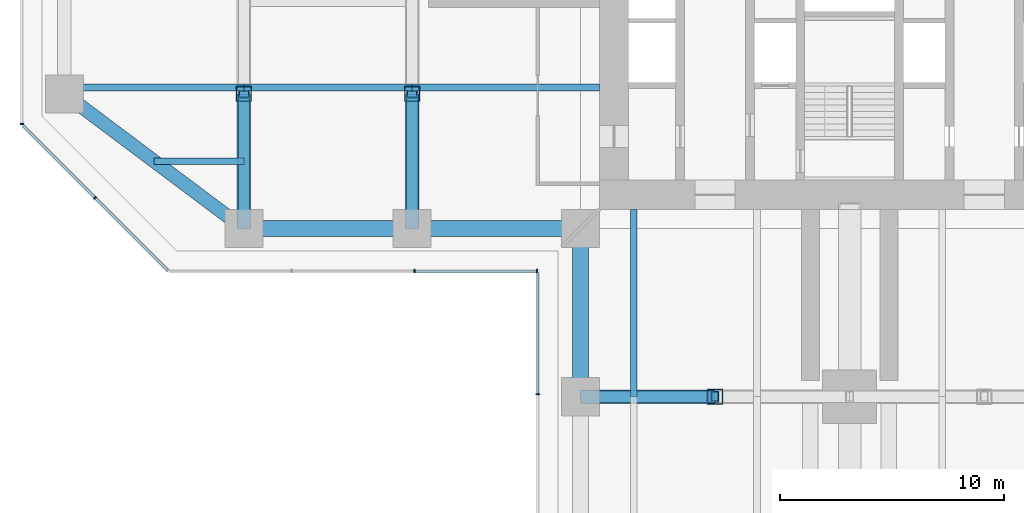
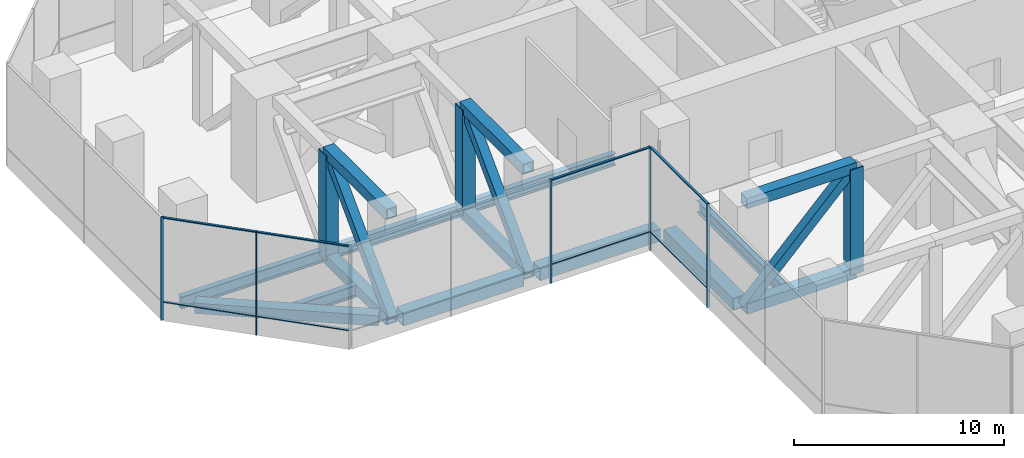
# One storey, part 3 of 19: 25 members, 9 beams, 4 elements without a shape of their own.
"""IFC4 building model written with IfcOpenShell, lengths in metres."""

import ifcopenshell
import ifcopenshell.guid

model = None  # the IFC model being written
_history = None  # IfcOwnerHistory: only IFC2X3 demands one
_inside = {}  # id of a spatial element -> (the spatial element, [elements in it])
_under = {}  # id of a project, library or spatial element -> (it, [spatial elements below it])
_declared = {}  # id of a project -> (the project, [libraries it declares])
_typed = {}  # id of a type object -> (the type object, [elements of that type])
_made_of = {}  # id of a material, layer set ... -> (it, [elements and type objects made of it])


def new_model(schema):
    """Start an empty IFC model of exactly this schema.

    Asked for "IFC4X3", IfcOpenShell would pick the latest addendum, in which some entities
    have other attributes; the version numbers below select the first issue.
    IFC2X3 requires an IfcOwnerHistory on every rooted entity: one is made here for all.
    """
    global model, _history
    if schema == "IFC4X3":
        model = ifcopenshell.file(schema_version=(4, 3, 0, 0))
    else:
        model = ifcopenshell.file(schema=schema)
    _inside.clear()
    _under.clear()
    _declared.clear()
    _typed.clear()
    _made_of.clear()
    _history = None
    if model.schema == "IFC2X3":
        org = make("IfcOrganization", Name="unknown")
        user = make(
            "IfcPersonAndOrganization",
            ThePerson=make("IfcPerson", FamilyName="unknown"),
            TheOrganization=org,
        )
        app = make(
            "IfcApplication",
            ApplicationDeveloper=org,
            Version="unknown",
            ApplicationFullName="unknown",
            ApplicationIdentifier="unknown",
        )
        _history = make(
            "IfcOwnerHistory",
            OwningUser=user,
            OwningApplication=app,
            ChangeAction="ADDED",
            CreationDate=0,
        )
    return model


def make(cls, **values):
    """One entity of the class cls with the attributes given. An attribute that is None is left unset."""
    return model.create_entity(
        cls, **{name: value for name, value in values.items() if value is not None}
    )


def rooted(cls, **values):
    """An entity with a GlobalId (a new one), such as an element, a storey or a relation."""
    return make(cls, GlobalId=ifcopenshell.guid.new(), OwnerHistory=_history, **values)


def si_unit(unit_type, name, prefix=None):
    """IfcSIUnit, for example si_unit("LENGTHUNIT", "METRE", prefix="MILLI")."""
    return make("IfcSIUnit", UnitType=unit_type, Prefix=prefix, Name=name)


def assignment(units):
    """IfcUnitAssignment: the units of a project."""
    return None if units is None else make("IfcUnitAssignment", Units=units)


def point(xyz):
    """IfcCartesianPoint."""
    return None if xyz is None else make("IfcCartesianPoint", Coordinates=xyz)


def direction(xyz):
    """IfcDirection."""
    return None if xyz is None else make("IfcDirection", DirectionRatios=xyz)


def frame(location, z_axis=None, x_axis=None):
    """IfcAxis2Placement3D, a coordinate frame: its origin and axes. An axis left out is left unset."""
    return make(
        "IfcAxis2Placement3D",
        Location=point(location),
        Axis=direction(z_axis),
        RefDirection=direction(x_axis),
    )


def frame_2d(location, x_axis=None):
    """IfcAxis2Placement2D, a coordinate frame in the plane: its origin and x axis."""
    return make(
        "IfcAxis2Placement2D", Location=point(location), RefDirection=direction(x_axis)
    )


def origin():
    """The frame at (0, 0, 0) with its axes left unset."""
    return frame((0.0, 0.0, 0.0))


def origin_2d():
    """The frame at (0, 0) in the plane with its x axis left unset."""
    return frame_2d((0.0, 0.0))


def place(relative_to, where):
    """IfcLocalPlacement: puts the frame where relative to a parent placement (None: the world)."""
    return make(
        "IfcLocalPlacement", PlacementRelTo=relative_to, RelativePlacement=where
    )


def context(
    kind, dimensions, precision=None, world=None, true_north=None, identifier=None
):
    """IfcGeometricRepresentationContext, for example the 3D "Model" context."""
    return make(
        "IfcGeometricRepresentationContext",
        ContextIdentifier=identifier,
        ContextType=kind,
        CoordinateSpaceDimension=dimensions,
        Precision=precision,
        WorldCoordinateSystem=world,
        TrueNorth=true_north,
    )


def subcontext(parent, identifier, kind, view, scale=None):
    """IfcGeometricRepresentationSubContext, for example "Body" below "Model"."""
    return make(
        "IfcGeometricRepresentationSubContext",
        ContextIdentifier=identifier,
        ContextType=kind,
        ParentContext=parent,
        TargetScale=scale,
        TargetView=view,
    )


def project(units=None, contexts=None):
    """IfcProject with its units and contexts."""
    return rooted(
        "IfcProject",
        Name="project",
        RepresentationContexts=contexts,
        UnitsInContext=assignment(units),
    )


def spatial(cls, under=None, at=None, **own):
    """A site, building, storey or space (cls), placed at a placement, below another one or the project."""
    s = rooted(cls, ObjectPlacement=at, **own)
    if under is not None:
        _under.setdefault(under.id(), (under, []))[1].append(s)
    return s


def profile(cls, at=None, kind="AREA", **sizes):
    """A parametric profile (cls). Its sizes go by their IFC names, for example OverallWidth=200.0."""
    return make(cls, ProfileType=kind, Position=at, **sizes)


def rectangle(**sizes):
    """IfcRectangleProfileDef."""
    return profile("IfcRectangleProfileDef", **sizes)


def hollow_rectangle(**sizes):
    """IfcRectangleHollowProfileDef."""
    return profile("IfcRectangleHollowProfileDef", **sizes)


def i_section(**sizes):
    """IfcIShapeProfileDef."""
    return profile("IfcIShapeProfileDef", **sizes)


def extrude(swept, where, along, depth):
    """IfcExtrudedAreaSolid: the profile swept, set in the frame where, extruded along a direction by depth."""
    return make(
        "IfcExtrudedAreaSolid",
        SweptArea=swept,
        Position=where,
        ExtrudedDirection=direction(along),
        Depth=depth,
    )


def shape(context_of_items, identifier, shape_type, items):
    """IfcShapeRepresentation: the items that make up one representation, for example the "Body"."""
    return make(
        "IfcShapeRepresentation",
        ContextOfItems=context_of_items,
        RepresentationIdentifier=identifier,
        RepresentationType=shape_type,
        Items=items,
    )


def material(Name=None, Category=None):
    """IfcMaterial."""
    return make("IfcMaterial", Name=Name, Category=Category)


def material_profile(
    of_material, cross_section, Name=None, Category=None, Priority=None
):
    """IfcMaterialProfile: a cross section and its material."""
    return make(
        "IfcMaterialProfile",
        Name=Name,
        Material=of_material,
        Profile=cross_section,
        Priority=Priority,
        Category=Category,
    )


def profile_set(profiles, Name=None, composite=None):
    """IfcMaterialProfileSet."""
    return make(
        "IfcMaterialProfileSet",
        Name=Name,
        MaterialProfiles=profiles,
        CompositeProfile=composite,
    )


def made_of(thing, what):
    """Note that an element or type object is made of a material, layer set ...; save() writes the relation."""
    if what is not None:
        _made_of.setdefault(what.id(), (what, []))[1].append(thing)
    return thing


def type_object(cls, material=None, **own):
    """A type object (cls), such as IfcWallType, which elements share."""
    return made_of(rooted(cls, **own), material)


def element(
    cls,
    number,
    at=None,
    inside=None,
    cuts=None,
    type_object=None,
    material=None,
    context=None,
    identifier="Body",
    shape_type=None,
    held_by="IfcProductDefinitionShape",
    body=None,
    shapes=None,
    **own,
):
    """One element of the class cls, such as IfcWall. Its Tag is "e" and its number.

    at: its placement. inside: the storey or other place that contains it. cuts: it is an
    opening in that element (IfcRelVoidsElement). A single representation is given by context,
    identifier, shape_type and body (its items); several are given by shapes. held_by: the class
    of the entity that holds the representations. save() writes the other relations.
    """
    e = rooted(cls, Tag="e%d" % number, ObjectPlacement=at, **own)
    if body is not None:
        shapes = [shape(context, identifier, shape_type, body)]
    if shapes is not None:
        e.Representation = make(held_by, Representations=shapes)
    if inside is not None:
        _inside.setdefault(inside.id(), (inside, []))[1].append(e)
    if cuts is not None:
        rooted(
            "IfcRelVoidsElement", RelatingBuildingElement=cuts, RelatedOpeningElement=e
        )
    if type_object is not None:
        _typed.setdefault(type_object.id(), (type_object, []))[1].append(e)
    return made_of(e, material)


def aggregate(whole, parts):
    """IfcRelAggregates: a whole, such as a stair, and the parts it consists of."""
    return rooted("IfcRelAggregates", RelatingObject=whole, RelatedObjects=parts)


def save(model, path):
    """Write the relations noted so far, then the file.

    IfcRelAggregates (storeys below a building ...), IfcRelContainedInSpatialStructure (elements
    in a storey), IfcRelDefinesByType, IfcRelAssociatesMaterial and IfcRelDeclares: one each for
    every whole, place, type object, material and project.
    """
    for whole, parts in _under.values():
        aggregate(whole, parts)
    for where, things in _inside.values():
        rooted(
            "IfcRelContainedInSpatialStructure",
            RelatedElements=things,
            RelatingStructure=where,
        )
    for kind, things in _typed.values():
        rooted("IfcRelDefinesByType", RelatedObjects=things, RelatingType=kind)
    for what, things in _made_of.values():
        rooted("IfcRelAssociatesMaterial", RelatedObjects=things, RelatingMaterial=what)
    for by, libraries in _declared.values():
        rooted("IfcRelDeclares", RelatingContext=by, RelatedDefinitions=libraries)
    model.write(path)


model = new_model("IFC4")

# Units and contexts
model_context = context("Model", 3, precision=1e-05, world=origin(), true_north=direction((0.0, 1.0)))
body_context = subcontext(model_context, "Body", "Model", "MODEL_VIEW")
ifc_project = project(units=[si_unit("LENGTHUNIT", "METRE"), si_unit("AREAUNIT", "SQUARE_METRE"), si_unit("VOLUMEUNIT", "CUBIC_METRE"), si_unit("PLANEANGLEUNIT", "RADIAN"), si_unit("MASSUNIT", "GRAM", prefix="KILO")], contexts=[model_context])

# Site, building, storey
site_placement = place(None, origin())
site = spatial("IfcSite", under=ifc_project, at=site_placement, CompositionType="ELEMENT")
building_placement = place(site_placement, origin())
building = spatial("IfcBuilding", under=site, at=building_placement, Name="Mizan Broadcast Tower", CompositionType="ELEMENT")
storey_placement = place(building_placement, frame((0.0, 0.0, 37.5)))
storey = spatial("IfcBuildingStorey", under=building, at=storey_placement, Name="L06", CompositionType="ELEMENT", Elevation=37.5)

# Members
ifc_material_1 = material(Name="Steel S460", Category="steel")
ifc_material_profile_1 = material_profile(ifc_material_1, hollow_rectangle(XDim=0.60009765625, YDim=0.60009765625, WallThickness=0.06005859375, at=origin_2d()), Name="BOX 600x600x60")
ifc_profile_set_1 = profile_set([ifc_material_profile_1], Name="Steel S460")
member_type_1 = type_object("IfcMemberType", Name="BELT TRUSS BT1 CHORD BOX 600x600x60", PredefinedType="CHORD", material=ifc_profile_set_1)
for number, where, z_axis, x_axis, name in (
    (1, (-19.5, -6.0, -0.550048828125), (0.0, -1.0, 0.0), (1.0, 0.0, 0.0), "Belt truss BT1-W19 bottom chord 4"),
    (2, (-19.5, -6.0, 5.570068359375), (0.0, -1.0, 0.0), (1.0, 0.0, 0.0), "Belt truss BT1-W19 top chord 4"),
    (3, (-27.0, -6.0, -0.550048828125), (0.0, -1.0, 0.0), (1.0, 0.0, 0.0), "Belt truss BT1-W27 bottom chord 4"),
    (4, (-27.0, -6.0, 5.570068359375), (0.0, -1.0, 0.0), (1.0, 0.0, 0.0), "Belt truss BT1-W27 top chord 4"),
    (5, (-12.0, -19.5, -0.550048828125), (1.0, 0.0, 0.0), (0.0, 1.0, 0.0), "Belt truss BT1-S19 bottom chord 1"),
    (6, (-12.0, -19.5, 5.570068359375), (1.0, 0.0, 0.0), (0.0, 1.0, 0.0), "Belt truss BT1-S19 top chord 1"),
):
    element("IfcMember", number, at=place(storey_placement, frame(where, z_axis=z_axis, x_axis=x_axis)), inside=storey, type_object=member_type_1, Name=name, PredefinedType="CHORD", context=body_context, shape_type="SweptSolid", body=[
        extrude(hollow_rectangle(XDim=0.60009765625, YDim=0.60009765625, WallThickness=0.06005859375, at=origin_2d()), origin(), (0.0, 0.0, 1.0), 6.0),
    ])
ifc_material_2 = material(Name="Steel S460", Category="steel")
ifc_material_profile_2 = material_profile(ifc_material_2, hollow_rectangle(XDim=0.5, YDim=0.5, WallThickness=0.050048828125, at=origin_2d()), Name="BOX 500x500x50")
ifc_profile_set_2 = profile_set([ifc_material_profile_2], Name="Steel S460")
member_type_2 = type_object("IfcMemberType", Name="BELT TRUSS BT1 DIAGONAL BOX 500x500x50", PredefinedType="BRACE", material=ifc_profile_set_2)
for number, where, z_axis, x_axis, name in (
    (7, (-19.5, -12.0, -0.550048828125), (0.0, 0.700064575666, 0.714079540316), (-1.0, 0.0, 0.0), "Belt truss BT1-W19 diagonal 4"),
    (8, (-27.0, -12.0, -0.550048828125), (0.0, 0.700064575666, 0.714079540316), (-1.0, 0.0, 0.0), "Belt truss BT1-W27 diagonal 4"),
    (9, (-12.0, -19.5, -0.550048828125), (0.700064575666, 0.0, 0.714079540316), (0.0, 1.0, 0.0), "Belt truss BT1-S19 diagonal 1"),
):
    element("IfcMember", number, at=place(storey_placement, frame(where, z_axis=z_axis, x_axis=x_axis)), inside=storey, type_object=member_type_2, Name=name, PredefinedType="BRACE", context=body_context, shape_type="SweptSolid", body=[
        extrude(hollow_rectangle(XDim=0.5, YDim=0.5, WallThickness=0.050048828125, at=origin_2d()), origin(), (0.0, 0.0, 1.0), 8.570556640625),
    ])
ifc_material_3 = material(Name="Steel S460", Category="steel")
ifc_material_profile_3 = material_profile(ifc_material_3, hollow_rectangle(XDim=0.699951171875, YDim=0.699951171875, WallThickness=0.0400390625, at=origin_2d()), Name="BOX 700x700x40")
ifc_profile_set_3 = profile_set([ifc_material_profile_3], Name="Steel S460")
member_type_3 = type_object("IfcMemberType", Name="BELT TRUSS BT1 POST BOX 700x700x40", PredefinedType="POST", material=ifc_profile_set_3)
for number, where, z_axis, x_axis, name in (
    (10, (-19.5, -6.0, -0.550048828125), (0.0, 0.0, 1.0), (1.0, 0.0, 0.0), "Belt truss BT1-W19 post 3"),
    (11, (-27.0, -6.0, -0.550048828125), (0.0, 0.0, 1.0), (1.0, 0.0, 0.0), "Belt truss BT1-W27 post 3"),
    (12, (-6.0, -19.5, -0.550048828125), (0.0, 0.0, 1.0), (1.0, 0.0, 0.0), "Belt truss BT1-S19 post 1"),
):
    element("IfcMember", number, at=place(storey_placement, frame(where, z_axis=z_axis, x_axis=x_axis)), inside=storey, type_object=member_type_3, Name=name, PredefinedType="POST", context=body_context, shape_type="SweptSolid", body=[
        extrude(hollow_rectangle(XDim=0.699951171875, YDim=0.699951171875, WallThickness=0.0400390625, at=origin_2d()), origin(), (0.0, 0.0, 1.0), 6.1201171875),
    ])

# Beams
ifc_material_4 = material(Name="Steel S355", Category="steel")
ifc_material_profile_4 = material_profile(ifc_material_4, hollow_rectangle(XDim=0.60009765625, YDim=0.60009765625, WallThickness=0.030029296875, at=origin_2d()), Name="BOX 600x600x30")
ifc_profile_set_4 = profile_set([ifc_material_profile_4], Name="Steel S355")
beam_type_1 = type_object("IfcBeamType", Name="EDGE BEAM BOX 600x600x30", PredefinedType="SPANDREL", material=ifc_profile_set_4)
beam_1_placement = place(storey_placement, frame((-27.47998046875, -11.639892578125, -0.550048828125), z_axis=(-0.800013316712, 0.599982243973, 0.0), x_axis=(-0.599982243973, -0.800013316712, 0.0)))
element("IfcBeam", 13, at=beam_1_placement, inside=storey, type_object=beam_type_1, Name="Edge beam BOX 600x600x30 L06 west arm", PredefinedType="SPANDREL", context=body_context, shape_type="SweptSolid", body=[
    extrude(hollow_rectangle(XDim=0.60009765625, YDim=0.60009765625, WallThickness=0.030029296875, at=origin_2d()), origin(), (0.0, 0.0, 1.0), 8.7998046875),
])
ifc_material_5 = material(Name="Steel S355", Category="steel")
ifc_material_profile_5 = material_profile(ifc_material_5, hollow_rectangle(XDim=0.699951171875, YDim=0.699951171875, WallThickness=0.0400390625, at=origin_2d()), Name="BOX 700x700x40")
ifc_profile_set_5 = profile_set([ifc_material_profile_5], Name="Steel S355")
beam_type_2 = type_object("IfcBeamType", Name="EDGE BEAM BOX 700x700x40", PredefinedType="SPANDREL", material=ifc_profile_set_5)
for number, where, z_axis, x_axis, name in (
    (14, (-12.449951171875, -12.0, -0.60009765625), (-1.0, 0.0, 0.0), (0.0, -1.0, 0.0), "Edge beam BOX 700x700x40 L06 west arm"),
    (15, (-19.949951171875, -12.0, -0.60009765625), (-1.0, 0.0, 0.0), (0.0, -1.0, 0.0), "Edge beam BOX 700x700x40 L06 west arm"),
    (16, (-12.0, -12.449951171875, -0.60009765625), (0.0, -1.0, 0.0), (1.0, 0.0, 0.0), "Edge beam BOX 700x700x40 L06 south arm"),
):
    element("IfcBeam", number, at=place(storey_placement, frame(where, z_axis=z_axis, x_axis=x_axis)), inside=storey, type_object=beam_type_2, Name=name, PredefinedType="SPANDREL", context=body_context, shape_type="SweptSolid", body=[
        extrude(hollow_rectangle(XDim=0.699951171875, YDim=0.699951171875, WallThickness=0.0400390625, at=origin_2d()), origin(), (0.0, 0.0, 1.0), 6.60009765625),
    ])

# Curtain wall, member
ifc_material_6 = material(Name="Aluminium framed glazing", Category="aluminium")
curtain_wall_type = type_object("IfcCurtainWallType", Name="PLANT LOUVRE", PredefinedType="USERDEFINED", material=ifc_material_6)
curtain_wall_1_placement = place(storey_placement, origin())
curtain_wall_1 = element("IfcCurtainWall", 17, at=curtain_wall_1_placement, inside=storey, type_object=curtain_wall_type, Name="Plant louvre L06 W end", ObjectType="PLANT LOUVRE", PredefinedType="USERDEFINED")
ifc_material_7 = material(Name="Aluminium, pale anodised", Category="aluminium")
ifc_material_profile_6 = material_profile(ifc_material_7, rectangle(XDim=0.159912109375, YDim=0.06005859375, at=origin_2d()), Name="MULLION 160x60")
ifc_profile_set_6 = profile_set([ifc_material_profile_6], Name="Aluminium, pale anodised")
member_type_4 = type_object("IfcMemberType", Name="INNER SKIN MULLION 60x160", PredefinedType="MULLION", material=ifc_profile_set_6)
member_1_placement = place(storey_placement, frame((-36.89990234375, -7.3427734375, 0.0), z_axis=(0.0, 0.0, 1.0), x_axis=(1.0, 0.0, 0.0)))
member_1 = element("IfcMember", 18, at=member_1_placement, type_object=member_type_4, Name="Plant louvre L06 W end mullion 3", PredefinedType="MULLION", context=body_context, shape_type="SweptSolid", body=[
    extrude(rectangle(XDim=0.159912109375, YDim=0.06005859375, at=origin_2d()), origin(), (0.0, 0.0, 1.0), 6.0),
])
aggregate(curtain_wall_1, [member_1])

curtain_wall_2_placement = place(storey_placement, origin())
curtain_wall_2 = element("IfcCurtainWall", 19, at=curtain_wall_2_placement, inside=storey, type_object=curtain_wall_type, Name="Plant louvre L06 W chamfer", ObjectType="PLANT LOUVRE", PredefinedType="USERDEFINED")
member_2_placement = place(storey_placement, frame((-33.636474609375, -10.636474609375, 0.0), z_axis=(0.0, 0.0, 1.0), x_axis=(0.707106781187, 0.707106781187, 0.0)))
member_2 = element("IfcMember", 20, at=member_2_placement, type_object=member_type_4, Name="Plant louvre L06 W chamfer mullion 2", PredefinedType="MULLION", context=body_context, shape_type="SweptSolid", body=[
    extrude(rectangle(XDim=0.159912109375, YDim=0.06005859375, at=origin_2d()), origin(), (0.0, 0.0, 1.0), 6.0),
])

# Curtain wall, members
curtain_wall_3_placement = place(storey_placement, origin())
curtain_wall_3 = element("IfcCurtainWall", 21, at=curtain_wall_3_placement, inside=storey, type_object=curtain_wall_type, Name="Plant louvre L06 W side", ObjectType="PLANT LOUVRE", PredefinedType="USERDEFINED")
member_3_placement = place(storey_placement, frame((-19.390869140625, -13.89990234375, 0.0), z_axis=(0.0, 0.0, 1.0), x_axis=(0.0, 1.0, 0.0)))
member_3 = element("IfcMember", 22, at=member_3_placement, type_object=member_type_4, Name="Plant louvre L06 W side mullion 3", PredefinedType="MULLION", context=body_context, shape_type="SweptSolid", body=[
    extrude(rectangle(XDim=0.159912109375, YDim=0.06005859375, at=origin_2d()), origin(), (0.0, 0.0, 1.0), 6.0),
])
member_4_placement = place(storey_placement, frame((-13.929931640625, -13.89990234375, 0.0), z_axis=(0.0, 0.0, 1.0), x_axis=(0.0, 1.0, 0.0)))
member_4 = element("IfcMember", 23, at=member_4_placement, type_object=member_type_4, Name="Plant louvre L06 W side mullion 4", PredefinedType="MULLION", context=body_context, shape_type="SweptSolid", body=[
    extrude(rectangle(XDim=0.159912109375, YDim=0.06005859375, at=origin_2d()), origin(), (0.0, 0.0, 1.0), 6.0),
])

# Curtain wall, member
curtain_wall_4_placement = place(storey_placement, origin())
curtain_wall_4 = element("IfcCurtainWall", 24, at=curtain_wall_4_placement, inside=storey, type_object=curtain_wall_type, Name="Plant louvre L06 S side", ObjectType="PLANT LOUVRE", PredefinedType="USERDEFINED")
member_5_placement = place(storey_placement, frame((-13.89990234375, -19.390869140625, 0.0), z_axis=(0.0, 0.0, 1.0), x_axis=(1.0, 0.0, 0.0)))
member_5 = element("IfcMember", 25, at=member_5_placement, type_object=member_type_4, Name="Plant louvre L06 S side mullion 2", PredefinedType="MULLION", context=body_context, shape_type="SweptSolid", body=[
    extrude(rectangle(XDim=0.159912109375, YDim=0.06005859375, at=origin_2d()), origin(), (0.0, 0.0, 1.0), 6.0),
])

# Member
ifc_material_8 = material(Name="Aluminium, pale anodised", Category="aluminium")
ifc_material_profile_7 = material_profile(ifc_material_8, rectangle(XDim=0.1201171875, YDim=0.06005859375, at=origin_2d()), Name="TRANSOM 120x60")
ifc_profile_set_7 = profile_set([ifc_material_profile_7], Name="Aluminium, pale anodised")
member_type_5 = type_object("IfcMemberType", Name="INNER SKIN TRANSOM 60x120", PredefinedType="USERDEFINED", material=ifc_profile_set_7)
member_6_placement = place(storey_placement, frame((-36.857666015625, -7.415283203125, 1.10009765625), z_axis=(0.707106781187, -0.707106781187, 0.0), x_axis=(0.707106781187, 0.707106781187, 0.0)))
member_6 = element("IfcMember", 26, at=member_6_placement, type_object=member_type_5, Name="Plant louvre L06 W chamfer transom 1.1", ObjectType="TRANSOM", PredefinedType="USERDEFINED", context=body_context, shape_type="SweptSolid", body=[
    extrude(rectangle(XDim=0.1201171875, YDim=0.06005859375, at=origin_2d()), origin(), (0.0, 0.0, 1.0), 4.525390625),
])

member_7_placement = place(storey_placement, frame((-36.857666015625, -7.415283203125, 5.969970703125), z_axis=(0.707106781187, -0.707106781187, 0.0), x_axis=(0.707106781187, 0.707106781187, 0.0)))
member_7 = element("IfcMember", 27, at=member_7_placement, type_object=member_type_5, Name="Plant louvre L06 W chamfer transom 1.2", ObjectType="TRANSOM", PredefinedType="USERDEFINED", context=body_context, shape_type="SweptSolid", body=[
    extrude(rectangle(XDim=0.1201171875, YDim=0.06005859375, at=origin_2d()), origin(), (0.0, 0.0, 1.0), 4.525390625),
])

member_8_placement = place(storey_placement, frame((-33.615234375, -10.65771484375, 1.10009765625), z_axis=(0.707106781187, -0.707106781187, 0.0), x_axis=(0.707106781187, 0.707106781187, 0.0)))
member_8 = element("IfcMember", 28, at=member_8_placement, type_object=member_type_5, Name="Plant louvre L06 W chamfer transom 2.1", ObjectType="TRANSOM", PredefinedType="USERDEFINED", context=body_context, shape_type="SweptSolid", body=[
    extrude(rectangle(XDim=0.1201171875, YDim=0.06005859375, at=origin_2d()), origin(), (0.0, 0.0, 1.0), 4.525390625),
])

member_9_placement = place(storey_placement, frame((-33.615234375, -10.65771484375, 5.969970703125), z_axis=(0.707106781187, -0.707106781187, 0.0), x_axis=(0.707106781187, 0.707106781187, 0.0)))
member_9 = element("IfcMember", 29, at=member_9_placement, type_object=member_type_5, Name="Plant louvre L06 W chamfer transom 2.2", ObjectType="TRANSOM", PredefinedType="USERDEFINED", context=body_context, shape_type="SweptSolid", body=[
    extrude(rectangle(XDim=0.1201171875, YDim=0.06005859375, at=origin_2d()), origin(), (0.0, 0.0, 1.0), 4.525390625),
])

aggregate(curtain_wall_2, [member_2, member_6, member_7, member_8, member_9])

member_10_placement = place(storey_placement, frame((-19.36083984375, -13.89990234375, 1.10009765625), z_axis=(1.0, 0.0, 0.0), x_axis=(0.0, 1.0, 0.0)))
member_10 = element("IfcMember", 30, at=member_10_placement, type_object=member_type_5, Name="Plant louvre L06 W side transom 3.1", ObjectType="TRANSOM", PredefinedType="USERDEFINED", context=body_context, shape_type="SweptSolid", body=[
    extrude(rectangle(XDim=0.1201171875, YDim=0.06005859375, at=origin_2d()), origin(), (0.0, 0.0, 1.0), 5.40087890625),
])

member_11_placement = place(storey_placement, frame((-19.36083984375, -13.89990234375, 5.969970703125), z_axis=(1.0, 0.0, 0.0), x_axis=(0.0, 1.0, 0.0)))
member_11 = element("IfcMember", 31, at=member_11_placement, type_object=member_type_5, Name="Plant louvre L06 W side transom 3.2", ObjectType="TRANSOM", PredefinedType="USERDEFINED", context=body_context, shape_type="SweptSolid", body=[
    extrude(rectangle(XDim=0.1201171875, YDim=0.06005859375, at=origin_2d()), origin(), (0.0, 0.0, 1.0), 5.40087890625),
])

aggregate(curtain_wall_3, [member_3, member_4, member_10, member_11])

member_12_placement = place(storey_placement, frame((-13.89990234375, -13.9599609375, 1.10009765625), z_axis=(0.0, -1.0, 0.0), x_axis=(1.0, 0.0, 0.0)))
member_12 = element("IfcMember", 32, at=member_12_placement, type_object=member_type_5, Name="Plant louvre L06 S side transom 1.1", ObjectType="TRANSOM", PredefinedType="USERDEFINED", context=body_context, shape_type="SweptSolid", body=[
    extrude(rectangle(XDim=0.1201171875, YDim=0.06005859375, at=origin_2d()), origin(), (0.0, 0.0, 1.0), 5.40087890625),
])

member_13_placement = place(storey_placement, frame((-13.89990234375, -13.9599609375, 5.969970703125), z_axis=(0.0, -1.0, 0.0), x_axis=(1.0, 0.0, 0.0)))
member_13 = element("IfcMember", 33, at=member_13_placement, type_object=member_type_5, Name="Plant louvre L06 S side transom 1.2", ObjectType="TRANSOM", PredefinedType="USERDEFINED", context=body_context, shape_type="SweptSolid", body=[
    extrude(rectangle(XDim=0.1201171875, YDim=0.06005859375, at=origin_2d()), origin(), (0.0, 0.0, 1.0), 5.40087890625),
])

aggregate(curtain_wall_4, [member_5, member_12, member_13])

# Beams
ifc_material_9 = material(Name="Steel S355", Category="steel")
ifc_material_profile_8 = material_profile(ifc_material_9, i_section(OverallWidth=0.300048828125, OverallDepth=0.699951171875, WebThickness=0.01708984375, FlangeThickness=0.031982421875, FilletRadius=0.027099609375, at=origin_2d()), Name="HEB 700")
ifc_profile_set_8 = profile_set([ifc_material_profile_8], Name="Steel S355")
beam_type_3 = type_object("IfcBeamType", Name="SECONDARY BEAM HEB 700", PredefinedType="JOIST", material=ifc_profile_set_8)
beam_2_placement = place(storey_placement, frame((-11.14990234375, -5.71435546875, -0.60009765625), z_axis=(-1.0, 0.0, 0.0), x_axis=(0.0, -1.0, 0.0)))
element("IfcBeam", 34, at=beam_2_placement, inside=storey, type_object=beam_type_3, Name="Secondary beam HEB 700 L06 west arm", PredefinedType="JOIST", context=body_context, shape_type="SweptSolid", body=[
    extrude(i_section(OverallWidth=0.300048828125, OverallDepth=0.699951171875, WebThickness=0.01708984375, FlangeThickness=0.031982421875, FilletRadius=0.027099609375, at=origin_2d()), origin(), (0.0, 0.0, 1.0), 8.35009765625),
])
beam_3_placement = place(storey_placement, frame((-19.5, -5.71435546875, -0.60009765625), z_axis=(-1.0, 0.0, 0.0), x_axis=(0.0, -1.0, 0.0)))
element("IfcBeam", 35, at=beam_3_placement, inside=storey, type_object=beam_type_3, Name="Secondary beam HEB 700 L06 west arm", PredefinedType="JOIST", context=body_context, shape_type="SweptSolid", body=[
    extrude(i_section(OverallWidth=0.300048828125, OverallDepth=0.699951171875, WebThickness=0.01708984375, FlangeThickness=0.031982421875, FilletRadius=0.027099609375, at=origin_2d()), origin(), (0.0, 0.0, 1.0), 7.5),
])
beam_4_placement = place(storey_placement, frame((-27.0, -5.71435546875, -0.60009765625), z_axis=(-1.0, 0.0, 0.0), x_axis=(0.0, -1.0, 0.0)))
element("IfcBeam", 36, at=beam_4_placement, inside=storey, type_object=beam_type_3, Name="Secondary beam HEB 700 L06 west arm", PredefinedType="JOIST", context=body_context, shape_type="SweptSolid", body=[
    extrude(i_section(OverallWidth=0.300048828125, OverallDepth=0.699951171875, WebThickness=0.01708984375, FlangeThickness=0.031982421875, FilletRadius=0.027099609375, at=origin_2d()), origin(), (0.0, 0.0, 1.0), 8.0),
])
beam_5_placement = place(storey_placement, frame((-27.0, -9.0, -0.60009765625), z_axis=(-1.0, 0.0, 0.0), x_axis=(0.0, -1.0, 0.0)))
element("IfcBeam", 37, at=beam_5_placement, inside=storey, type_object=beam_type_3, Name="Secondary beam HEB 700 L06 west arm", PredefinedType="JOIST", context=body_context, shape_type="SweptSolid", body=[
    extrude(i_section(OverallWidth=0.300048828125, OverallDepth=0.699951171875, WebThickness=0.01708984375, FlangeThickness=0.031982421875, FilletRadius=0.027099609375, at=origin_2d()), origin(), (0.0, 0.0, 1.0), 4.0),
])
beam_6_placement = place(storey_placement, frame((-9.625, -11.14990234375, -0.60009765625), z_axis=(0.0, -1.0, 0.0), x_axis=(1.0, 0.0, 0.0)))
element("IfcBeam", 38, at=beam_6_placement, inside=storey, type_object=beam_type_3, Name="Secondary beam HEB 700 L06 south arm", PredefinedType="JOIST", context=body_context, shape_type="SweptSolid", body=[
    extrude(i_section(OverallWidth=0.300048828125, OverallDepth=0.699951171875, WebThickness=0.01708984375, FlangeThickness=0.031982421875, FilletRadius=0.027099609375, at=origin_2d()), origin(), (0.0, 0.0, 1.0), 8.35009765625),
])

save(model, "model.ifc")
